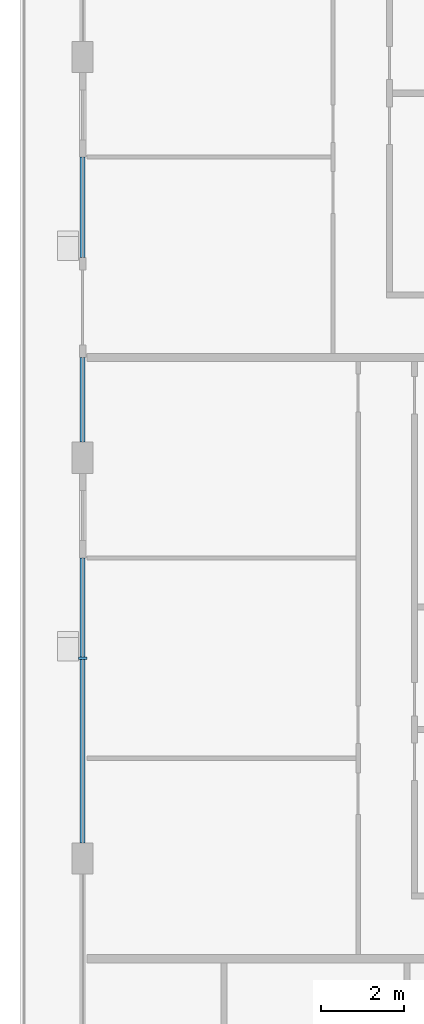
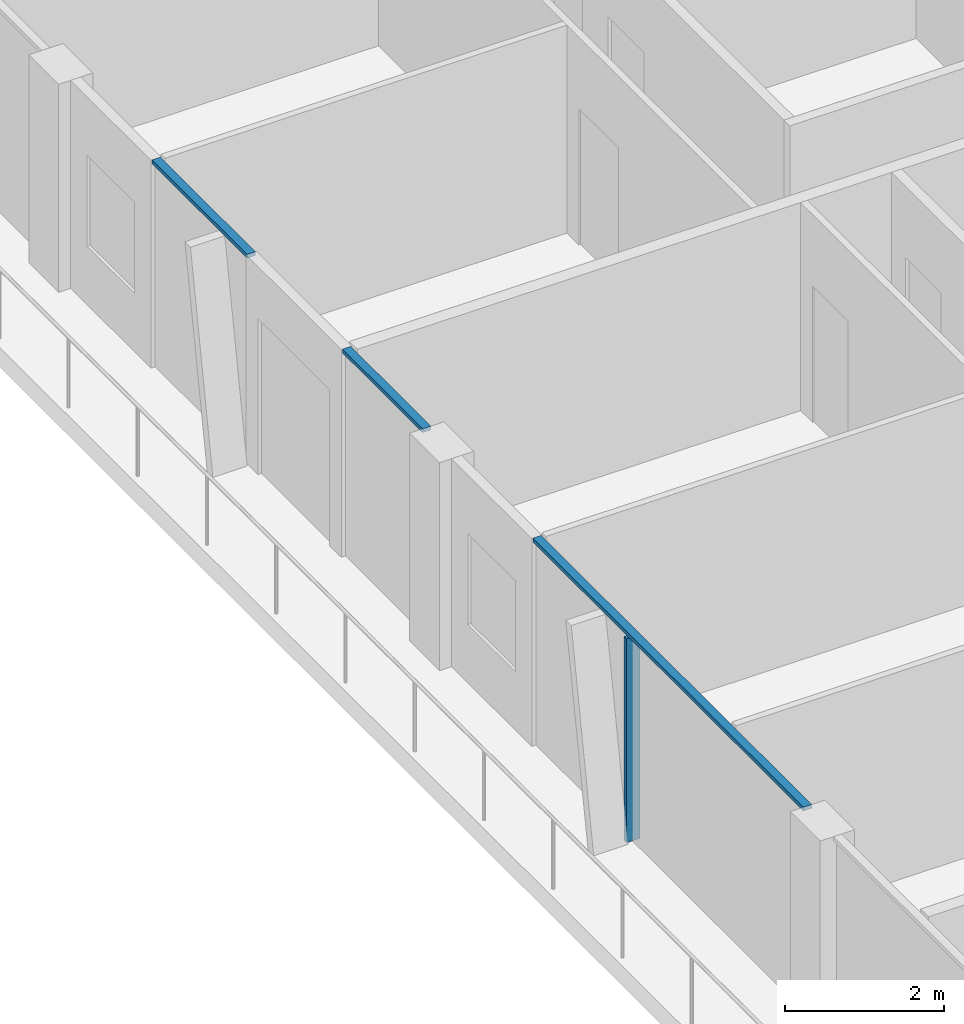
# One storey, part 3 of 21: 4 members, 2 elements without a shape of their own.
"""IFC4 building model written with IfcOpenShell, lengths in metres."""

from ifc_helpers import new_model, si_unit, direction, frame, origin, origin_2d, place, context, subcontext, project, spatial, rectangle, extrude, material, layer, layer_set, material_profile, profile_set, type_object, element, aggregate, save


model = new_model("IFC4")

# Units and contexts
model_context = context("Model", 3, precision=1e-05, world=origin(), true_north=direction((0.0, 1.0)))
body_context = subcontext(model_context, "Body", "Model", "MODEL_VIEW")
ifc_project = project(units=[si_unit("LENGTHUNIT", "METRE"), si_unit("AREAUNIT", "SQUARE_METRE"), si_unit("VOLUMEUNIT", "CUBIC_METRE"), si_unit("PLANEANGLEUNIT", "RADIAN"), si_unit("MASSUNIT", "GRAM", prefix="KILO")], contexts=[model_context])

# Site, building, storey
site_placement = place(None, origin())
site = spatial("IfcSite", under=ifc_project, at=site_placement, CompositionType="ELEMENT")
building_placement = place(site_placement, origin())
building = spatial("IfcBuilding", under=site, at=building_placement, Name="Madar Terraces", CompositionType="ELEMENT")
storey_placement = place(building_placement, frame((0.0, 0.0, 272.10009765625)))
storey = spatial("IfcBuildingStorey", under=building, at=storey_placement, Name="L71", CompositionType="ELEMENT", Elevation=272.10009765625)

# Curtain wall, member
ifc_material_1 = material(Name="Glass, ceramic frit dark grey, with black aluminium frame", Category="aluminium")
ifc_layer = layer(ifc_material_1, 0.199951171875)
ifc_layer_set = layer_set([ifc_layer], Name="Facade curtain wall, fritted glass")
curtain_wall_type = type_object("IfcCurtainWallType", Name="Facade curtain wall, fritted glass", PredefinedType="NOTDEFINED", material=ifc_layer_set)
curtain_wall_1_placement = place(storey_placement, origin())
curtain_wall_1 = element("IfcCurtainWall", 1, at=curtain_wall_1_placement, inside=storey, type_object=curtain_wall_type, Name="Outer skin curtain wall west bay 3", PredefinedType="NOTDEFINED")
ifc_material_2 = material(Name="Aluminium, black anodised", Category="aluminium")
ifc_material_profile_1 = material_profile(ifc_material_2, rectangle(XDim=0.199951171875, YDim=0.06005859375, at=origin_2d()), Name="Facade mullion 60x200")
ifc_profile_set_1 = profile_set([ifc_material_profile_1], Name="Aluminium, black anodised")
member_type_1 = type_object("IfcMemberType", Name="Facade mullion 60x200", PredefinedType="MULLION", material=ifc_profile_set_1)
member_1_placement = place(storey_placement, frame((0.0, 19.199951171875, 0.0), z_axis=(0.0, 0.0, 1.0), x_axis=(1.0, 0.0, 0.0)))
member_1 = element("IfcMember", 2, at=member_1_placement, type_object=member_type_1, Name="Mullion 1", PredefinedType="MULLION", context=body_context, shape_type="SweptSolid", body=[
    extrude(rectangle(XDim=0.199951171875, YDim=0.06005859375, at=origin_2d()), origin(), (0.0, 0.0, 1.0), 3.139892578125),
])

# Curtain wall, members
curtain_wall_2_placement = place(storey_placement, origin())
curtain_wall_2 = element("IfcCurtainWall", 3, at=curtain_wall_2_placement, inside=storey, type_object=curtain_wall_type, Name="Outer skin curtain wall west bay 2", PredefinedType="NOTDEFINED")
ifc_material_3 = material(Name="Aluminium, black anodised", Category="aluminium")
ifc_material_profile_2 = material_profile(ifc_material_3, rectangle(XDim=0.1201171875, YDim=0.06005859375, at=origin_2d()), Name="Facade transom 60x120")
ifc_profile_set_2 = profile_set([ifc_material_profile_2], Name="Aluminium, black anodised")
member_type_2 = type_object("IfcMemberType", Name="Facade transom 60x120", PredefinedType="USERDEFINED", material=ifc_profile_set_2)
member_2_placement = place(storey_placement, frame((0.0, 31.199951171875, 3.169921875), z_axis=(0.0, -1.0, 0.0), x_axis=(1.0, 0.0, 0.0)))
member_2 = element("IfcMember", 4, at=member_2_placement, type_object=member_type_2, Name="Transom 1", ObjectType="TRANSOM", PredefinedType="USERDEFINED", context=body_context, shape_type="SweptSolid", body=[
    extrude(rectangle(XDim=0.1201171875, YDim=0.06005859375, at=origin_2d()), origin(), (0.0, 0.0, 1.0), 2.39990234375),
])
member_3_placement = place(storey_placement, frame((0.0, 26.39990234375, 3.169921875), z_axis=(0.0, -1.0, 0.0), x_axis=(1.0, 0.0, 0.0)))
member_3 = element("IfcMember", 5, at=member_3_placement, type_object=member_type_2, Name="Transom 2", ObjectType="TRANSOM", PredefinedType="USERDEFINED", context=body_context, shape_type="SweptSolid", body=[
    extrude(rectangle(XDim=0.1201171875, YDim=0.06005859375, at=origin_2d()), origin(), (0.0, 0.0, 1.0), 2.02490234375),
])
aggregate(curtain_wall_2, [member_2, member_3])

# Member
member_4_placement = place(storey_placement, frame((0.0, 21.60009765625, 3.169921875), z_axis=(0.0, -1.0, 0.0), x_axis=(1.0, 0.0, 0.0)))
member_4 = element("IfcMember", 6, at=member_4_placement, type_object=member_type_2, Name="Transom 1", ObjectType="TRANSOM", PredefinedType="USERDEFINED", context=body_context, shape_type="SweptSolid", body=[
    extrude(rectangle(XDim=0.1201171875, YDim=0.06005859375, at=origin_2d()), origin(), (0.0, 0.0, 1.0), 6.8251953125),
])

aggregate(curtain_wall_1, [member_1, member_4])

save(model, "model.ifc")
